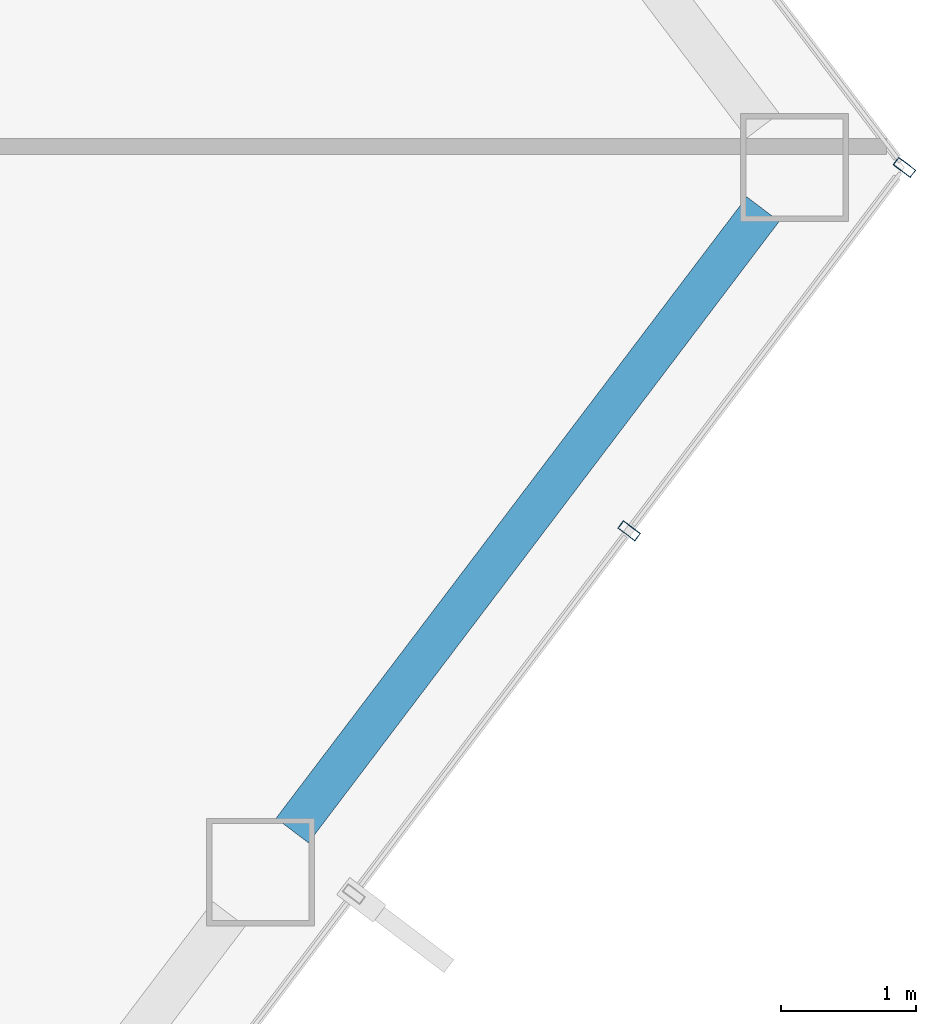
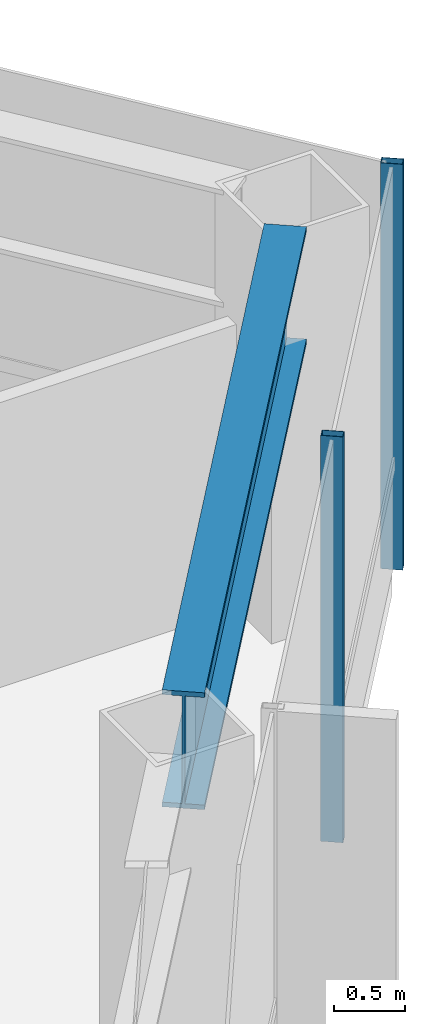
# One storey, part 21 of 28: 2 members, 1 beam, 1 element without a shape of its own.
"""IFC4 building model written with IfcOpenShell, lengths in metres."""

from ifc_helpers import new_model, si_unit, direction, frame, origin, origin_2d, place, context, subcontext, project, spatial, hollow_rectangle, i_section, extrude, material, layer, layer_set, material_profile, profile_set, type_object, element, aggregate, save


model = new_model("IFC4")

# Units and contexts
model_context = context("Model", 3, precision=1e-05, world=origin(), true_north=direction((0.0, 1.0)))
body_context = subcontext(model_context, "Body", "Model", "MODEL_VIEW")
ifc_project = project(units=[si_unit("LENGTHUNIT", "METRE"), si_unit("AREAUNIT", "SQUARE_METRE"), si_unit("VOLUMEUNIT", "CUBIC_METRE"), si_unit("PLANEANGLEUNIT", "RADIAN"), si_unit("MASSUNIT", "GRAM", prefix="KILO")], contexts=[model_context])

# Site, building, storey
site_placement = place(None, origin())
site = spatial("IfcSite", under=ifc_project, at=site_placement, CompositionType="ELEMENT")
building_placement = place(site_placement, origin())
building = spatial("IfcBuilding", under=site, at=building_placement, Name="Zarrinselat Tower", CompositionType="ELEMENT")
storey_placement = place(building_placement, frame((0.0, 0.0, 149.60009765625)))
storey = spatial("IfcBuildingStorey", under=building, at=storey_placement, Name="L36", CompositionType="ELEMENT", Elevation=149.60009765625)

# Beam
ifc_material_1 = material(Name="Steel S460M", Category="steel")
ifc_material_profile_1 = material_profile(ifc_material_1, i_section(OverallWidth=0.302001953125, OverallDepth=1.008056640625, WebThickness=0.02099609375, FlangeThickness=0.0400390625, at=origin_2d()), Name="HEM 1000")
ifc_profile_set_1 = profile_set([ifc_material_profile_1], Name="Steel S460M")
beam_type = type_object("IfcBeamType", Name="BM-HEM1000", PredefinedType="BEAM", material=ifc_profile_set_1)
beam_placement = place(storey_placement, frame((58.381103515625, 34.48486328125, 2.995849609375), z_axis=(0.603867434816, 0.797084764106, 0.0), x_axis=(-0.797084764106, 0.603867434816, 0.0)))
element("IfcBeam", 1, at=beam_placement, inside=storey, type_object=beam_type, Name="L36 Perimeter Spandrel Girder SP14", PredefinedType="BEAM", context=body_context, shape_type="SweptSolid", body=[
    extrude(i_section(OverallWidth=0.302001953125, OverallDepth=1.008056640625, WebThickness=0.02099609375, FlangeThickness=0.0400390625, at=origin_2d()), origin(), (0.0, 0.0, 1.0), 5.787109375),
])

# Curtain wall, members
ifc_material_2 = material(Name="Extruded Aluminium Alloy EN AW-6063 T6", Category="aluminium")
ifc_layer = layer(ifc_material_2, 0.175048828125)
ifc_layer_set = layer_set([ifc_layer], Name="Extruded Aluminium Alloy EN AW-6063 T6")
curtain_wall_type = type_object("IfcCurtainWallType", Name="CWS-HTL", PredefinedType="NOTDEFINED", material=ifc_layer_set)
curtain_wall_placement = place(storey_placement, origin())
curtain_wall = element("IfcCurtainWall", 2, at=curtain_wall_placement, inside=storey, type_object=curtain_wall_type, Name="L36 Unitised Curtain Wall CW-L36-E05", PredefinedType="NOTDEFINED")
ifc_material_3 = material(Name="Extruded Aluminium Alloy EN AW-6063 T6", Category="aluminium")
ifc_material_profile_2 = material_profile(ifc_material_3, hollow_rectangle(XDim=0.070068359375, YDim=0.159912109375, WallThickness=0.00390625, at=origin_2d()), Name="RHS 160x70x4")
ifc_profile_set_2 = profile_set([ifc_material_profile_2], Name="Extruded Aluminium Alloy EN AW-6063 T6")
member_type = type_object("IfcMemberType", Name="MEM-CW-MUL2", PredefinedType="MULLION", material=ifc_profile_set_2)
member_1_placement = place(storey_placement, frame((60.88232421875, 36.7099609375, 0.0), z_axis=(0.0, 0.0, 1.0), x_axis=(0.603857687995, 0.797092148154, 0.0)))
member_1 = element("IfcMember", 3, at=member_1_placement, type_object=member_type, Name="CW-L36-E05 Mullion 8", PredefinedType="MULLION", context=body_context, shape_type="SweptSolid", body=[
    extrude(hollow_rectangle(XDim=0.070068359375, YDim=0.159912109375, WallThickness=0.00390625, at=origin_2d()), origin(), (0.0, 0.0, 1.0), 3.5),
])
member_2_placement = place(storey_placement, frame((62.925537109375, 39.406982421875, 0.0), z_axis=(0.0, 0.0, 1.0), x_axis=(0.603857687995, 0.797092148154, 0.0)))
member_2 = element("IfcMember", 4, at=member_2_placement, type_object=member_type, Name="CW-L36-E05 Mullion 9", PredefinedType="MULLION", context=body_context, shape_type="SweptSolid", body=[
    extrude(hollow_rectangle(XDim=0.070068359375, YDim=0.159912109375, WallThickness=0.00390625, at=origin_2d()), origin(), (0.0, 0.0, 1.0), 3.5),
])
aggregate(curtain_wall, [member_1, member_2])

save(model, "model.ifc")
